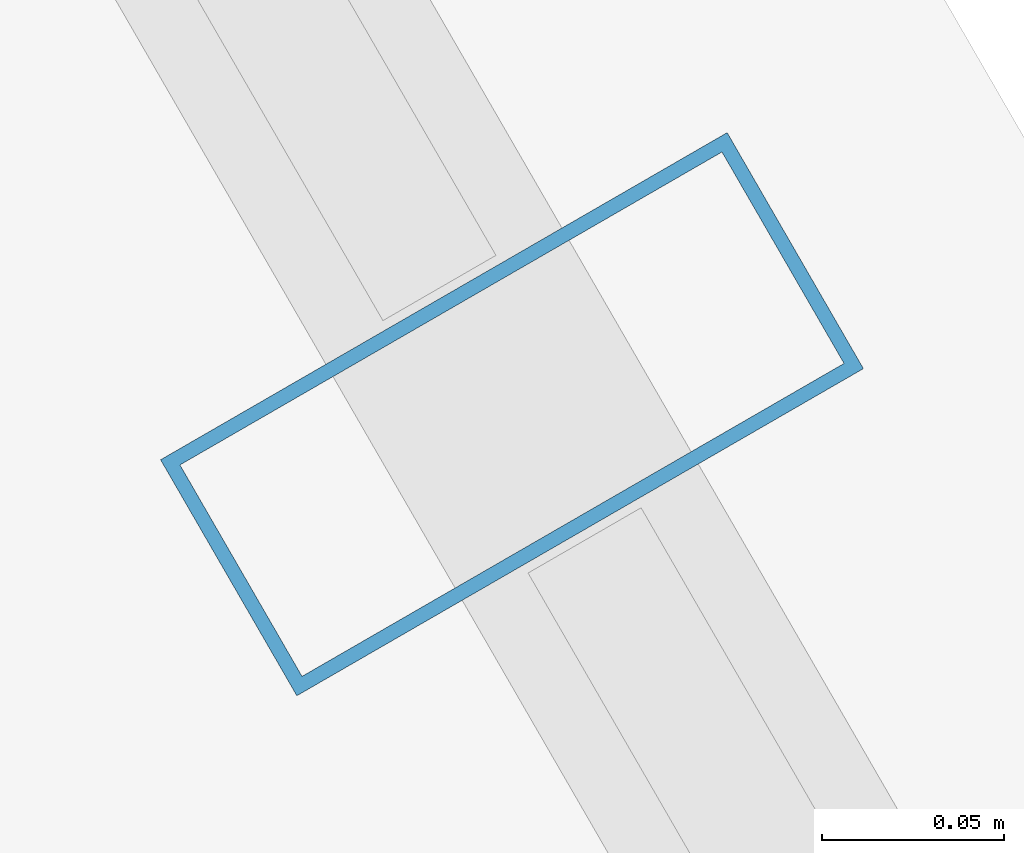
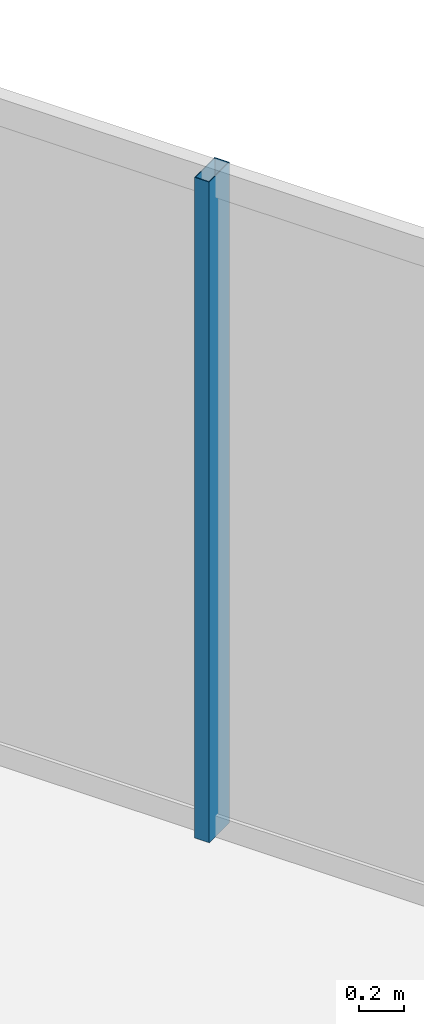
# One storey, part 19 of 32: 1 member, 1 element without a shape of its own.
"""IFC4 building model written with IfcOpenShell, lengths in metres."""

from ifc_helpers import new_model, si_unit, direction, frame, origin, origin_2d, place, context, subcontext, project, spatial, hollow_rectangle, extrude, material, layer, layer_set, material_profile, profile_set, type_object, element, aggregate, save


model = new_model("IFC4")

# Units and contexts
model_context = context("Model", 3, precision=1e-05, world=origin(), true_north=direction((0.0, 1.0)))
body_context = subcontext(model_context, "Body", "Model", "MODEL_VIEW")
ifc_project = project(units=[si_unit("LENGTHUNIT", "METRE"), si_unit("AREAUNIT", "SQUARE_METRE"), si_unit("VOLUMEUNIT", "CUBIC_METRE"), si_unit("PLANEANGLEUNIT", "RADIAN"), si_unit("MASSUNIT", "GRAM", prefix="KILO")], contexts=[model_context])

# Site, building, storey
site_placement = place(None, origin())
site = spatial("IfcSite", under=ifc_project, at=site_placement, CompositionType="ELEMENT")
building_placement = place(site_placement, origin())
building = spatial("IfcBuilding", under=site, at=building_placement, Name="Ndaravel Arena Tower", CompositionType="ELEMENT")
storey_placement = place(building_placement, frame((0.0, 0.0, 287.10009765625)))
storey = spatial("IfcBuildingStorey", under=building, at=storey_placement, Name="L70", CompositionType="ELEMENT", Elevation=287.10009765625)

# Curtain wall, member
ifc_material_1 = material(Name="Aluminium", Category="aluminium")
ifc_layer = layer(ifc_material_1, 0.179931640625)
ifc_layer_set = layer_set([ifc_layer], Name="Aluminium")
curtain_wall_type = type_object("IfcCurtainWallType", Name="CW-SYS-03", PredefinedType="NOTDEFINED", material=ifc_layer_set)
curtain_wall_placement = place(storey_placement, origin())
curtain_wall = element("IfcCurtainWall", 1, at=curtain_wall_placement, inside=storey, type_object=curtain_wall_type, Name="L70 Faceted Crystal Curtain Wall CW-L70-E03", PredefinedType="NOTDEFINED")
ifc_material_2 = material(Name="Aluminium", Category="aluminium")
ifc_material_profile = material_profile(ifc_material_2, hollow_rectangle(XDim=0.074951171875, YDim=0.179931640625, WallThickness=0.00390625, at=origin_2d()), Name="CW MULLION 75x180x4")
ifc_profile_set = profile_set([ifc_material_profile], Name="Aluminium")
member_type = type_object("IfcMemberType", Name="MEM-CW-MUL180", PredefinedType="MULLION", material=ifc_profile_set)
member_placement = place(storey_placement, frame((48.724609375, 36.086181640625, 0.0), z_axis=(0.0, 0.0, 1.0), x_axis=(-0.5, 0.866025403784, 0.0)))
member = element("IfcMember", 2, at=member_placement, type_object=member_type, Name="CW-L70-E03 Mullion 07", PredefinedType="MULLION", context=body_context, shape_type="SweptSolid", body=[
    extrude(hollow_rectangle(XDim=0.074951171875, YDim=0.179931640625, WallThickness=0.00390625, at=origin_2d()), origin(), (0.0, 0.0, 1.0), 3.579833984375),
])
aggregate(curtain_wall, [member])

save(model, "model.ifc")
